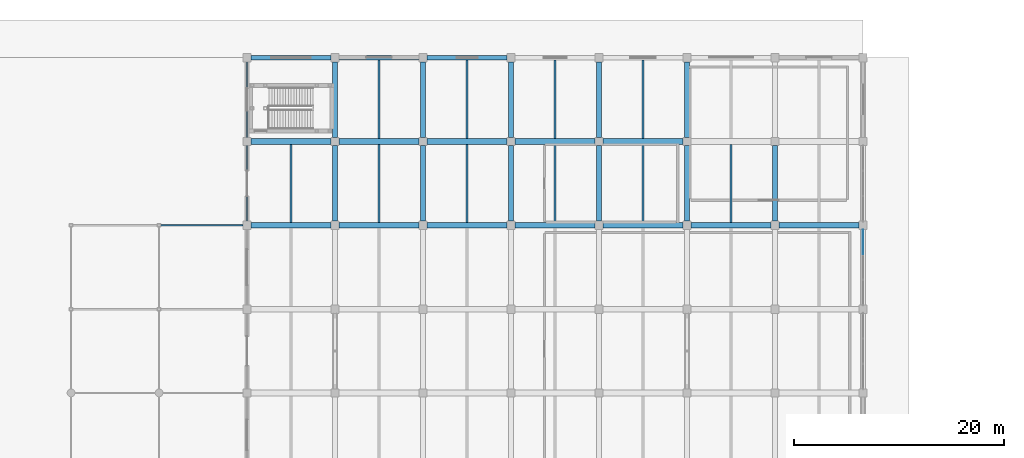
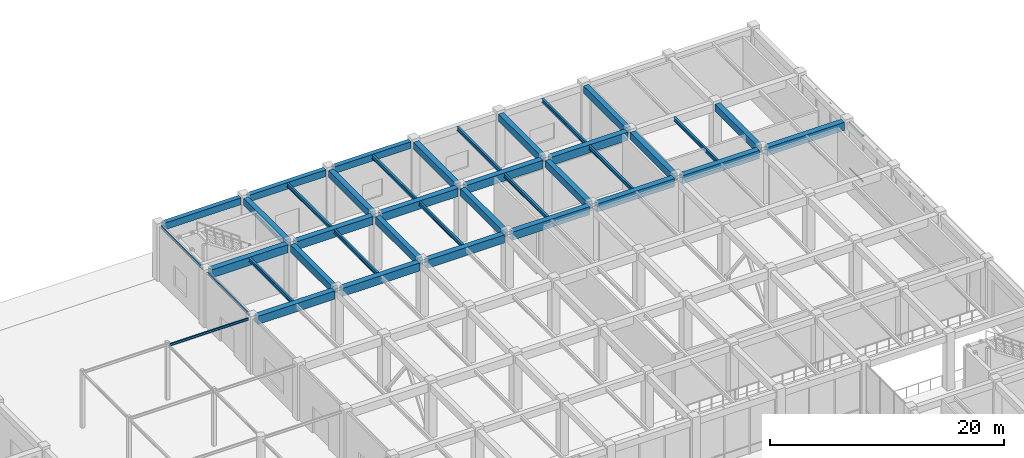
# One storey, part 36 of 76: 39 beams, 2 members, 1 element without a shape of its own.
"""IFC4 building model written with IfcOpenShell, lengths in metres."""

from ifc_helpers import new_model, si_unit, direction, frame, origin, origin_2d, place, context, subcontext, project, spatial, rectangle, i_section, extrude, material, layer, layer_set, material_profile, profile_set, type_object, element, aggregate, save


model = new_model("IFC4")

# Units and contexts
model_context = context("Model", 3, precision=1e-05, world=origin(), true_north=direction((0.0, 1.0)))
body_context = subcontext(model_context, "Body", "Model", "MODEL_VIEW")
ifc_project = project(units=[si_unit("LENGTHUNIT", "METRE"), si_unit("AREAUNIT", "SQUARE_METRE"), si_unit("VOLUMEUNIT", "CUBIC_METRE"), si_unit("PLANEANGLEUNIT", "RADIAN"), si_unit("MASSUNIT", "GRAM", prefix="KILO")], contexts=[model_context])

# Site, building, storey
site_placement = place(None, origin())
site = spatial("IfcSite", under=ifc_project, at=site_placement, CompositionType="ELEMENT")
building_placement = place(site_placement, origin())
building = spatial("IfcBuilding", under=site, at=building_placement, Name="Naruveol Harbour Congress Hotel", CompositionType="ELEMENT")
storey_placement = place(building_placement, origin())
storey = spatial("IfcBuildingStorey", under=building, at=storey_placement, Name="L00", CompositionType="ELEMENT", Elevation=0.0)

# Beams
ifc_material_1 = material(Name="Concrete C40/50", Category="concrete")
ifc_material_profile_1 = material_profile(ifc_material_1, rectangle(XDim=0.5, YDim=0.75, at=origin_2d()), Name="RCB-500x750")
ifc_profile_set_1 = profile_set([ifc_material_profile_1], Name="Concrete C40/50")
beam_type_1 = type_object("IfcBeamType", Name="RC FLOOR GIRDER 500X750", PredefinedType="BEAM", material=ifc_profile_set_1)
for number, where, z_axis, x_axis, name in (
    (1, (75.60009765625, 96.39599609375, 5.324951171875), (0.0, 1.0, 0.0), (-1.0, 0.0, 0.0), "Transverse girder L01 CB3"),
    (2, (75.60009765625, 104.39599609375, 5.324951171875), (0.0, 1.0, 0.0), (-1.0, 0.0, 0.0), "Transverse girder L01 CB3"),
    (3, (84.0, 96.39599609375, 5.324951171875), (0.0, 1.0, 0.0), (-1.0, 0.0, 0.0), "Transverse girder L01 CB3"),
    (4, (84.0, 104.39599609375, 5.324951171875), (0.0, 1.0, 0.0), (-1.0, 0.0, 0.0), "Transverse girder L01 CB3"),
    (5, (92.39990234375, 96.39599609375, 5.324951171875), (0.0, 1.0, 0.0), (-1.0, 0.0, 0.0), "Transverse girder L01 CB3"),
    (6, (92.39990234375, 104.39599609375, 5.324951171875), (0.0, 1.0, 0.0), (-1.0, 0.0, 0.0), "Transverse girder L01 CB3"),
    (7, (100.800048828125, 96.39599609375, 5.324951171875), (0.0, 1.0, 0.0), (-1.0, 0.0, 0.0), "Transverse girder L01 CB3"),
    (8, (100.800048828125, 104.39599609375, 5.324951171875), (0.0, 1.0, 0.0), (-1.0, 0.0, 0.0), "Transverse girder L01 CB3"),
    (9, (109.199951171875, 96.39599609375, 5.324951171875), (0.0, 1.0, 0.0), (-1.0, 0.0, 0.0), "Transverse girder L01 CB3"),
    (10, (109.199951171875, 104.39599609375, 5.324951171875), (0.0, 1.0, 0.0), (-1.0, 0.0, 0.0), "Transverse girder L01 CB3"),
    (11, (117.60009765625, 96.39599609375, 5.324951171875), (0.0, 1.0, 0.0), (-1.0, 0.0, 0.0), "Transverse girder L01 CB3"),
):
    element("IfcBeam", number, at=place(storey_placement, frame(where, z_axis=z_axis, x_axis=x_axis)), inside=storey, type_object=beam_type_1, Name=name, PredefinedType="BEAM", context=body_context, shape_type="SweptSolid", body=[
        extrude(rectangle(XDim=0.5, YDim=0.75, at=origin_2d()), origin(), (0.0, 0.0, 1.0), 7.2080078125),
    ])
ifc_material_2 = material(Name="Concrete C40/50", Category="concrete")
ifc_material_profile_2 = material_profile(ifc_material_2, rectangle(XDim=0.550048828125, YDim=0.85009765625, at=origin_2d()), Name="RCB-550x850")
ifc_profile_set_2 = profile_set([ifc_material_profile_2], Name="Concrete C40/50")
beam_type_2 = type_object("IfcBeamType", Name="RC PRIMARY GIRDER 550X850", PredefinedType="BEAM", material=ifc_profile_set_2)
beam_1_placement = place(storey_placement, frame((67.595947265625, 96.0, 5.27490234375), z_axis=(1.0, 0.0, 0.0), x_axis=(0.0, 1.0, 0.0)))
element("IfcBeam", 12, at=beam_1_placement, inside=storey, type_object=beam_type_2, Name="Floor girder L01 CB2", PredefinedType="BEAM", context=body_context, shape_type="SweptSolid", body=[
    extrude(rectangle(XDim=0.550048828125, YDim=0.85009765625, at=origin_2d()), origin(), (0.0, 0.0, 1.0), 7.608154296875),
])
for number, where, z_axis, x_axis, name in (
    (13, (75.99609375, 96.0, 5.27490234375), (1.0, 0.0, 0.0), (0.0, 1.0, 0.0), "Floor girder L01 CB2"),
    (14, (84.39599609375, 96.0, 5.27490234375), (1.0, 0.0, 0.0), (0.0, 1.0, 0.0), "Floor girder L01 CB2"),
):
    element("IfcBeam", number, at=place(storey_placement, frame(where, z_axis=z_axis, x_axis=x_axis)), inside=storey, type_object=beam_type_2, Name=name, PredefinedType="BEAM", context=body_context, shape_type="SweptSolid", body=[
        extrude(rectangle(XDim=0.550048828125, YDim=0.85009765625, at=origin_2d()), origin(), (0.0, 0.0, 1.0), 7.60791015625),
    ])
beam_2_placement = place(storey_placement, frame((92.7958984375, 96.0, 5.27490234375), z_axis=(1.0, 0.0, 0.0), x_axis=(0.0, 1.0, 0.0)))
element("IfcBeam", 15, at=beam_2_placement, inside=storey, type_object=beam_type_2, Name="Floor girder L01 CB2", PredefinedType="BEAM", context=body_context, shape_type="SweptSolid", body=[
    extrude(rectangle(XDim=0.550048828125, YDim=0.85009765625, at=origin_2d()), origin(), (0.0, 0.0, 1.0), 7.608154296875),
])
beam_3_placement = place(storey_placement, frame((101.196044921875, 96.0, 5.27490234375), z_axis=(1.0, 0.0, 0.0), x_axis=(0.0, 1.0, 0.0)))
element("IfcBeam", 16, at=beam_3_placement, inside=storey, type_object=beam_type_2, Name="Floor girder L01 CB2", PredefinedType="BEAM", context=body_context, shape_type="SweptSolid", body=[
    extrude(rectangle(XDim=0.550048828125, YDim=0.85009765625, at=origin_2d()), origin(), (0.0, 0.0, 1.0), 7.60791015625),
])
beam_4_placement = place(storey_placement, frame((109.595947265625, 96.0, 5.27490234375), z_axis=(1.0, 0.0, 0.0), x_axis=(0.0, 1.0, 0.0)))
element("IfcBeam", 17, at=beam_4_placement, inside=storey, type_object=beam_type_2, Name="Floor girder L01 CB2", PredefinedType="BEAM", context=body_context, shape_type="SweptSolid", body=[
    extrude(rectangle(XDim=0.550048828125, YDim=0.85009765625, at=origin_2d()), origin(), (0.0, 0.0, 1.0), 7.608154296875),
])
beam_5_placement = place(storey_placement, frame((117.99609375, 96.0, 5.27490234375), z_axis=(1.0, 0.0, 0.0), x_axis=(0.0, 1.0, 0.0)))
element("IfcBeam", 18, at=beam_5_placement, inside=storey, type_object=beam_type_2, Name="Floor girder L01 CB2", PredefinedType="BEAM", context=body_context, shape_type="SweptSolid", body=[
    extrude(rectangle(XDim=0.550048828125, YDim=0.85009765625, at=origin_2d()), origin(), (0.0, 0.0, 1.0), 7.60791015625),
])
beam_6_placement = place(storey_placement, frame((67.595947265625, 104.0, 5.27490234375), z_axis=(1.0, 0.0, 0.0), x_axis=(0.0, 1.0, 0.0)))
element("IfcBeam", 19, at=beam_6_placement, inside=storey, type_object=beam_type_2, Name="Floor girder L01 CB2", PredefinedType="BEAM", context=body_context, shape_type="SweptSolid", body=[
    extrude(rectangle(XDim=0.550048828125, YDim=0.85009765625, at=origin_2d()), origin(), (0.0, 0.0, 1.0), 7.608154296875),
])
for number, where, z_axis, x_axis, name in (
    (20, (75.99609375, 104.0, 5.27490234375), (1.0, 0.0, 0.0), (0.0, 1.0, 0.0), "Floor girder L01 CB2"),
    (21, (84.39599609375, 104.0, 5.27490234375), (1.0, 0.0, 0.0), (0.0, 1.0, 0.0), "Floor girder L01 CB2"),
):
    element("IfcBeam", number, at=place(storey_placement, frame(where, z_axis=z_axis, x_axis=x_axis)), inside=storey, type_object=beam_type_2, Name=name, PredefinedType="BEAM", context=body_context, shape_type="SweptSolid", body=[
        extrude(rectangle(XDim=0.550048828125, YDim=0.85009765625, at=origin_2d()), origin(), (0.0, 0.0, 1.0), 7.60791015625),
    ])
beam_7_placement = place(storey_placement, frame((92.7958984375, 104.0, 5.27490234375), z_axis=(1.0, 0.0, 0.0), x_axis=(0.0, 1.0, 0.0)))
element("IfcBeam", 22, at=beam_7_placement, inside=storey, type_object=beam_type_2, Name="Floor girder L01 CB2", PredefinedType="BEAM", context=body_context, shape_type="SweptSolid", body=[
    extrude(rectangle(XDim=0.550048828125, YDim=0.85009765625, at=origin_2d()), origin(), (0.0, 0.0, 1.0), 7.608154296875),
])
beam_8_placement = place(storey_placement, frame((101.196044921875, 104.0, 5.27490234375), z_axis=(1.0, 0.0, 0.0), x_axis=(0.0, 1.0, 0.0)))
element("IfcBeam", 23, at=beam_8_placement, inside=storey, type_object=beam_type_2, Name="Floor girder L01 CB2", PredefinedType="BEAM", context=body_context, shape_type="SweptSolid", body=[
    extrude(rectangle(XDim=0.550048828125, YDim=0.85009765625, at=origin_2d()), origin(), (0.0, 0.0, 1.0), 7.60791015625),
])
ifc_material_3 = material(Name="Concrete C40/50", Category="concrete")
ifc_material_profile_3 = material_profile(ifc_material_3, rectangle(XDim=0.449951171875, YDim=0.699951171875, at=origin_2d()), Name="RCB-450x700")
ifc_profile_set_3 = profile_set([ifc_material_profile_3], Name="Concrete C40/50")
beam_type_3 = type_object("IfcBeamType", Name="RC SPANDREL BEAM 450X700", PredefinedType="SPANDREL", material=ifc_profile_set_3)
beam_9_placement = place(storey_placement, frame((67.595947265625, 112.0, 5.35009765625), z_axis=(1.0, 0.0, 0.0), x_axis=(0.0, 1.0, 0.0)))
element("IfcBeam", 24, at=beam_9_placement, inside=storey, type_object=beam_type_3, Name="Floor girder L01 SPB1", PredefinedType="SPANDREL", context=body_context, shape_type="SweptSolid", body=[
    extrude(rectangle(XDim=0.449951171875, YDim=0.699951171875, at=origin_2d()), origin(), (0.0, 0.0, 1.0), 7.608154296875),
])
for number, where, z_axis, x_axis, name in (
    (25, (75.99609375, 112.0, 5.35009765625), (1.0, 0.0, 0.0), (0.0, 1.0, 0.0), "Floor girder L01 SPB1"),
    (26, (84.39599609375, 112.0, 5.35009765625), (1.0, 0.0, 0.0), (0.0, 1.0, 0.0), "Floor girder L01 SPB1"),
):
    element("IfcBeam", number, at=place(storey_placement, frame(where, z_axis=z_axis, x_axis=x_axis)), inside=storey, type_object=beam_type_3, Name=name, PredefinedType="SPANDREL", context=body_context, shape_type="SweptSolid", body=[
        extrude(rectangle(XDim=0.449951171875, YDim=0.699951171875, at=origin_2d()), origin(), (0.0, 0.0, 1.0), 7.60791015625),
    ])
ifc_material_4 = material(Name="Steel SN490", Category="steel")
ifc_material_profile_4 = material_profile(ifc_material_4, i_section(OverallWidth=0.125, OverallDepth=0.25, WebThickness=0.006103515625, FlangeThickness=0.009033203125, at=origin_2d()), Name="H-250x125x6x9")
ifc_profile_set_4 = profile_set([ifc_material_profile_4], Name="Steel SN490")
beam_type_4 = type_object("IfcBeamType", Name="STEEL CANOPY EDGE BEAM H250", PredefinedType="BEAM", material=ifc_profile_set_4)
beam_10_placement = place(storey_placement, frame((58.946044921875, 96.0, 5.574951171875), z_axis=(1.0, 0.0, 0.0), x_axis=(0.0, 1.0, 0.0)))
element("IfcBeam", 27, at=beam_10_placement, inside=storey, type_object=beam_type_4, Name="Floor girder L01 SB3", PredefinedType="BEAM", context=body_context, shape_type="SweptSolid", body=[
    extrude(i_section(OverallWidth=0.125, OverallDepth=0.25, WebThickness=0.006103515625, FlangeThickness=0.009033203125, at=origin_2d()), origin(), (0.0, 0.0, 1.0), 7.85791015625),
])
for number, where, z_axis, x_axis, name in (
    (28, (67.199951171875, 96.39599609375, 5.574951171875), (0.0, 1.0, 0.0), (-1.0, 0.0, 0.0), "Transverse girder L01 SB3"),
    (29, (67.199951171875, 104.39599609375, 5.574951171875), (0.0, 1.0, 0.0), (-1.0, 0.0, 0.0), "Transverse girder L01 SB3"),
):
    element("IfcBeam", number, at=place(storey_placement, frame(where, z_axis=z_axis, x_axis=x_axis)), inside=storey, type_object=beam_type_4, Name=name, PredefinedType="BEAM", context=body_context, shape_type="SweptSolid", body=[
        extrude(i_section(OverallWidth=0.125, OverallDepth=0.25, WebThickness=0.006103515625, FlangeThickness=0.009033203125, at=origin_2d()), origin(), (0.0, 0.0, 1.0), 7.2080078125),
    ])
ifc_material_5 = material(Name="Steel SN490", Category="steel")
ifc_material_profile_5 = material_profile(ifc_material_5, i_section(OverallWidth=0.199951171875, OverallDepth=0.39990234375, WebThickness=0.008056640625, FlangeThickness=0.012939453125, at=origin_2d()), Name="H-400x200x8x13")
ifc_profile_set_5 = profile_set([ifc_material_profile_5], Name="Steel SN490")
beam_type_5 = type_object("IfcBeamType", Name="STEEL SECONDARY JOIST H400", PredefinedType="JOIST", material=ifc_profile_set_5)
for number, where, z_axis, x_axis, name in (
    (30, (71.39990234375, 96.27099609375, 5.5), (0.0, 1.0, 0.0), (-1.0, 0.0, 0.0), "Secondary floor joist L01 SJ1"),
    (31, (79.800048828125, 96.27099609375, 5.5), (0.0, 1.0, 0.0), (-1.0, 0.0, 0.0), "Secondary floor joist L01 SJ1"),
    (32, (88.199951171875, 96.27099609375, 5.5), (0.0, 1.0, 0.0), (-1.0, 0.0, 0.0), "Secondary floor joist L01 SJ1"),
    (33, (96.60009765625, 96.27099609375, 5.5), (0.0, 1.0, 0.0), (-1.0, 0.0, 0.0), "Secondary floor joist L01 SJ1"),
    (34, (105.0, 96.27099609375, 5.5), (0.0, 1.0, 0.0), (-1.0, 0.0, 0.0), "Secondary floor joist L01 SJ1"),
    (35, (113.39990234375, 96.27099609375, 5.5), (0.0, 1.0, 0.0), (-1.0, 0.0, 0.0), "Secondary floor joist L01 SJ1"),
):
    element("IfcBeam", number, at=place(storey_placement, frame(where, z_axis=z_axis, x_axis=x_axis)), inside=storey, type_object=beam_type_5, Name=name, PredefinedType="JOIST", context=body_context, shape_type="SweptSolid", body=[
        extrude(i_section(OverallWidth=0.199951171875, OverallDepth=0.39990234375, WebThickness=0.008056640625, FlangeThickness=0.012939453125, at=origin_2d()), origin(), (0.0, 0.0, 1.0), 7.4580078125),
    ])
for number, where, z_axis, x_axis, name in (
    (36, (79.800048828125, 104.27099609375, 5.5), (0.0, 1.0, 0.0), (-1.0, 0.0, 0.0), "Secondary floor joist L01 SJ1"),
    (37, (88.199951171875, 104.27099609375, 5.5), (0.0, 1.0, 0.0), (-1.0, 0.0, 0.0), "Secondary floor joist L01 SJ1"),
    (38, (96.60009765625, 104.27099609375, 5.5), (0.0, 1.0, 0.0), (-1.0, 0.0, 0.0), "Secondary floor joist L01 SJ1"),
    (39, (105.0, 104.27099609375, 5.5), (0.0, 1.0, 0.0), (-1.0, 0.0, 0.0), "Secondary floor joist L01 SJ1"),
):
    element("IfcBeam", number, at=place(storey_placement, frame(where, z_axis=z_axis, x_axis=x_axis)), inside=storey, type_object=beam_type_5, Name=name, PredefinedType="JOIST", context=body_context, shape_type="SweptSolid", body=[
        extrude(i_section(OverallWidth=0.199951171875, OverallDepth=0.39990234375, WebThickness=0.008056640625, FlangeThickness=0.012939453125, at=origin_2d()), origin(), (0.0, 0.0, 1.0), 7.508056640625),
    ])

# Curtain wall, members
ifc_material_6 = material(Name="Low-E Curtain Wall System", Category="glass")
ifc_layer = layer(ifc_material_6, 0.179931640625)
ifc_layer_set = layer_set([ifc_layer], Name="Low-E Curtain Wall System")
curtain_wall_type = type_object("IfcCurtainWallType", Name="UNITISED CURTAIN WALL CW-V2E-16 7200X5700", PredefinedType="USERDEFINED", material=ifc_layer_set)
curtain_wall_placement = place(storey_placement, origin())
curtain_wall = element("IfcCurtainWall", 40, at=curtain_wall_placement, inside=storey, type_object=curtain_wall_type, Name="Unitised curtain wall CW-V2E-16 L00", ObjectType="UNITISED GLAZING", PredefinedType="USERDEFINED")
ifc_material_7 = material(Name="Anodised Aluminium 6063-T6", Category="aluminium")
ifc_material_profile_6 = material_profile(ifc_material_7, rectangle(XDim=0.074951171875, YDim=0.14990234375, at=origin_2d()), Name="ALU-75x150")
ifc_profile_set_6 = profile_set([ifc_material_profile_6], Name="Anodised Aluminium 6063-T6")
member_type = type_object("IfcMemberType", Name="THERMAL ALUMINIUM TRANSOM 75X150", PredefinedType="USERDEFINED", material=ifc_profile_set_6)
member_1_placement = place(storey_placement, frame((126.0, 95.56005859375, 0.85009765625), z_axis=(0.0, -1.0, 0.0), x_axis=(1.0, 0.0, 0.0)))
member_1 = element("IfcMember", 41, at=member_1_placement, type_object=member_type, Name="Curtain wall transom CW-L00-0034-T0.1", ObjectType="TRANSOM", PredefinedType="USERDEFINED", context=body_context, shape_type="SweptSolid", body=[
    extrude(rectangle(XDim=0.074951171875, YDim=0.14990234375, at=origin_2d()), origin(), (0.0, 0.0, 1.0), 2.320068359375),
])
member_2_placement = place(storey_placement, frame((126.0, 95.56005859375, 5.6201171875), z_axis=(0.0, -1.0, 0.0), x_axis=(1.0, 0.0, 0.0)))
member_2 = element("IfcMember", 42, at=member_2_placement, type_object=member_type, Name="Curtain wall transom CW-L00-0034-T0.2", ObjectType="TRANSOM", PredefinedType="USERDEFINED", context=body_context, shape_type="SweptSolid", body=[
    extrude(rectangle(XDim=0.074951171875, YDim=0.14990234375, at=origin_2d()), origin(), (0.0, 0.0, 1.0), 2.320068359375),
])
aggregate(curtain_wall, [member_1, member_2])

save(model, "model.ifc")
